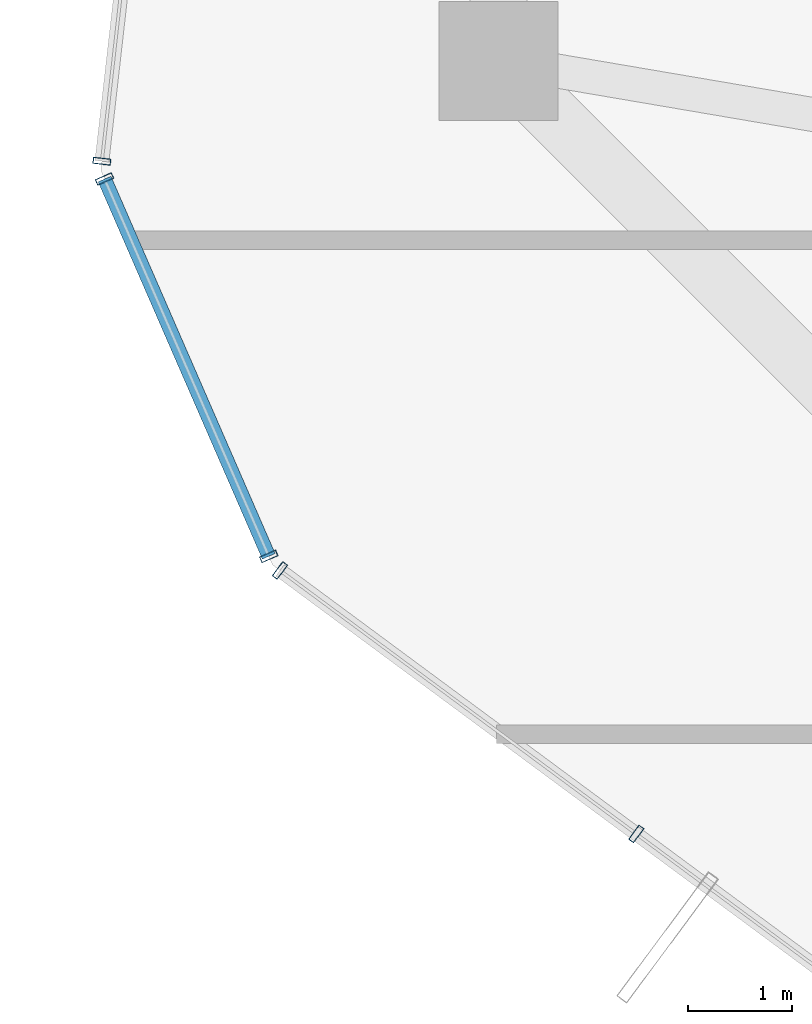
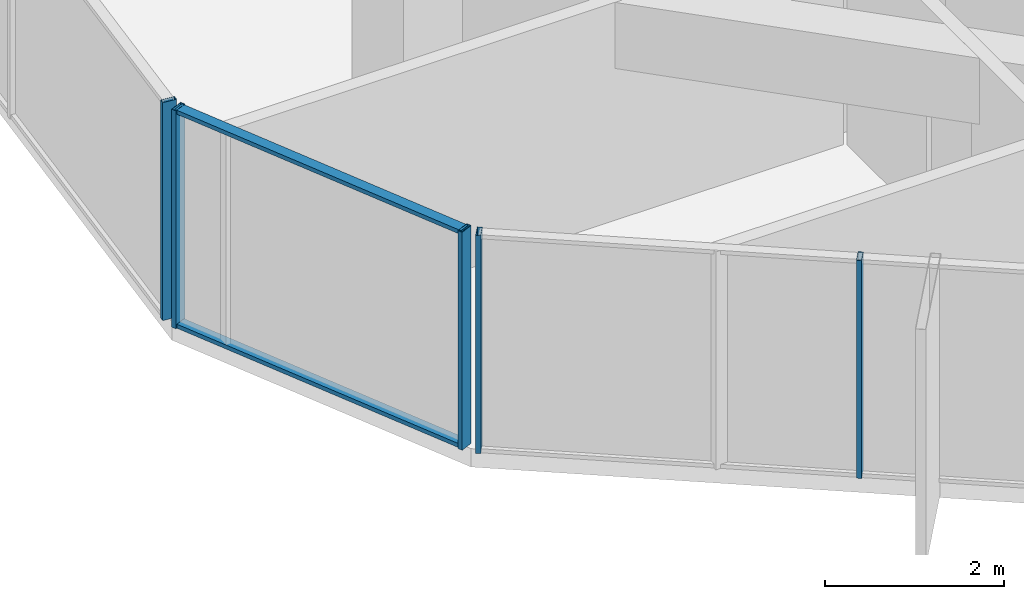
# One storey, part 4 of 29: 7 members, 3 elements without a shape of their own.
"""IFC4 building model written with IfcOpenShell, lengths in metres."""

import ifcopenshell
import ifcopenshell.guid

model = None  # the IFC model being written
_history = None  # IfcOwnerHistory: only IFC2X3 demands one
_inside = {}  # id of a spatial element -> (the spatial element, [elements in it])
_under = {}  # id of a project, library or spatial element -> (it, [spatial elements below it])
_declared = {}  # id of a project -> (the project, [libraries it declares])
_typed = {}  # id of a type object -> (the type object, [elements of that type])
_made_of = {}  # id of a material, layer set ... -> (it, [elements and type objects made of it])


def new_model(schema):
    """Start an empty IFC model of exactly this schema.

    Asked for "IFC4X3", IfcOpenShell would pick the latest addendum, in which some entities
    have other attributes; the version numbers below select the first issue.
    IFC2X3 requires an IfcOwnerHistory on every rooted entity: one is made here for all.
    """
    global model, _history
    if schema == "IFC4X3":
        model = ifcopenshell.file(schema_version=(4, 3, 0, 0))
    else:
        model = ifcopenshell.file(schema=schema)
    _inside.clear()
    _under.clear()
    _declared.clear()
    _typed.clear()
    _made_of.clear()
    _history = None
    if model.schema == "IFC2X3":
        org = make("IfcOrganization", Name="unknown")
        user = make(
            "IfcPersonAndOrganization",
            ThePerson=make("IfcPerson", FamilyName="unknown"),
            TheOrganization=org,
        )
        app = make(
            "IfcApplication",
            ApplicationDeveloper=org,
            Version="unknown",
            ApplicationFullName="unknown",
            ApplicationIdentifier="unknown",
        )
        _history = make(
            "IfcOwnerHistory",
            OwningUser=user,
            OwningApplication=app,
            ChangeAction="ADDED",
            CreationDate=0,
        )
    return model


def make(cls, **values):
    """One entity of the class cls with the attributes given. An attribute that is None is left unset."""
    return model.create_entity(
        cls, **{name: value for name, value in values.items() if value is not None}
    )


def rooted(cls, **values):
    """An entity with a GlobalId (a new one), such as an element, a storey or a relation."""
    return make(cls, GlobalId=ifcopenshell.guid.new(), OwnerHistory=_history, **values)


def si_unit(unit_type, name, prefix=None):
    """IfcSIUnit, for example si_unit("LENGTHUNIT", "METRE", prefix="MILLI")."""
    return make("IfcSIUnit", UnitType=unit_type, Prefix=prefix, Name=name)


def assignment(units):
    """IfcUnitAssignment: the units of a project."""
    return None if units is None else make("IfcUnitAssignment", Units=units)


def point(xyz):
    """IfcCartesianPoint."""
    return None if xyz is None else make("IfcCartesianPoint", Coordinates=xyz)


def direction(xyz):
    """IfcDirection."""
    return None if xyz is None else make("IfcDirection", DirectionRatios=xyz)


def frame(location, z_axis=None, x_axis=None):
    """IfcAxis2Placement3D, a coordinate frame: its origin and axes. An axis left out is left unset."""
    return make(
        "IfcAxis2Placement3D",
        Location=point(location),
        Axis=direction(z_axis),
        RefDirection=direction(x_axis),
    )


def frame_2d(location, x_axis=None):
    """IfcAxis2Placement2D, a coordinate frame in the plane: its origin and x axis."""
    return make(
        "IfcAxis2Placement2D", Location=point(location), RefDirection=direction(x_axis)
    )


def origin():
    """The frame at (0, 0, 0) with its axes left unset."""
    return frame((0.0, 0.0, 0.0))


def origin_2d():
    """The frame at (0, 0) in the plane with its x axis left unset."""
    return frame_2d((0.0, 0.0))


def place(relative_to, where):
    """IfcLocalPlacement: puts the frame where relative to a parent placement (None: the world)."""
    return make(
        "IfcLocalPlacement", PlacementRelTo=relative_to, RelativePlacement=where
    )


def context(
    kind, dimensions, precision=None, world=None, true_north=None, identifier=None
):
    """IfcGeometricRepresentationContext, for example the 3D "Model" context."""
    return make(
        "IfcGeometricRepresentationContext",
        ContextIdentifier=identifier,
        ContextType=kind,
        CoordinateSpaceDimension=dimensions,
        Precision=precision,
        WorldCoordinateSystem=world,
        TrueNorth=true_north,
    )


def subcontext(parent, identifier, kind, view, scale=None):
    """IfcGeometricRepresentationSubContext, for example "Body" below "Model"."""
    return make(
        "IfcGeometricRepresentationSubContext",
        ContextIdentifier=identifier,
        ContextType=kind,
        ParentContext=parent,
        TargetScale=scale,
        TargetView=view,
    )


def project(units=None, contexts=None):
    """IfcProject with its units and contexts."""
    return rooted(
        "IfcProject",
        Name="project",
        RepresentationContexts=contexts,
        UnitsInContext=assignment(units),
    )


def spatial(cls, under=None, at=None, **own):
    """A site, building, storey or space (cls), placed at a placement, below another one or the project."""
    s = rooted(cls, ObjectPlacement=at, **own)
    if under is not None:
        _under.setdefault(under.id(), (under, []))[1].append(s)
    return s


def profile(cls, at=None, kind="AREA", **sizes):
    """A parametric profile (cls). Its sizes go by their IFC names, for example OverallWidth=200.0."""
    return make(cls, ProfileType=kind, Position=at, **sizes)


def hollow_rectangle(**sizes):
    """IfcRectangleHollowProfileDef."""
    return profile("IfcRectangleHollowProfileDef", **sizes)


def extrude(swept, where, along, depth):
    """IfcExtrudedAreaSolid: the profile swept, set in the frame where, extruded along a direction by depth."""
    return make(
        "IfcExtrudedAreaSolid",
        SweptArea=swept,
        Position=where,
        ExtrudedDirection=direction(along),
        Depth=depth,
    )


def shape(context_of_items, identifier, shape_type, items):
    """IfcShapeRepresentation: the items that make up one representation, for example the "Body"."""
    return make(
        "IfcShapeRepresentation",
        ContextOfItems=context_of_items,
        RepresentationIdentifier=identifier,
        RepresentationType=shape_type,
        Items=items,
    )


def source(mapping_origin, context_of_items, identifier, shape_type, items):
    """IfcRepresentationMap: a shape defined once, which mapped items show again and again."""
    return make(
        "IfcRepresentationMap",
        MappingOrigin=mapping_origin,
        MappedRepresentation=shape(context_of_items, identifier, shape_type, items),
    )


def transform(
    local_origin,
    x_axis=None,
    y_axis=None,
    z_axis=None,
    scale=None,
    scale2=None,
    scale3=None,
    uniform=True,
):
    """IfcCartesianTransformationOperator3D, or its non-uniform kind. x_axis, y_axis, z_axis: its Axis1, 2, 3."""
    if uniform:
        return make(
            "IfcCartesianTransformationOperator3D",
            Axis1=direction(x_axis),
            Axis2=direction(y_axis),
            LocalOrigin=point(local_origin),
            Scale=scale,
            Axis3=direction(z_axis),
        )
    return make(
        "IfcCartesianTransformationOperator3DnonUniform",
        Axis1=direction(x_axis),
        Axis2=direction(y_axis),
        LocalOrigin=point(local_origin),
        Scale=scale,
        Axis3=direction(z_axis),
        Scale2=scale2,
        Scale3=scale3,
    )


def mapped(mapping_source, mapping_target):
    """IfcMappedItem: shows the shape of a source again, moved by a transform."""
    return make(
        "IfcMappedItem", MappingSource=mapping_source, MappingTarget=mapping_target
    )


def material(Name=None, Category=None):
    """IfcMaterial."""
    return make("IfcMaterial", Name=Name, Category=Category)


def layer(
    of_material, thickness, ventilated=None, Name=None, Category=None, Priority=None
):
    """IfcMaterialLayer: one layer of a wall or slab, of a material (None: an air gap)."""
    return make(
        "IfcMaterialLayer",
        Material=of_material,
        LayerThickness=thickness,
        IsVentilated=ventilated,
        Name=Name,
        Category=Category,
        Priority=Priority,
    )


def layer_set(layers, Name=None):
    """IfcMaterialLayerSet."""
    return make("IfcMaterialLayerSet", MaterialLayers=layers, LayerSetName=Name)


def material_profile(
    of_material, cross_section, Name=None, Category=None, Priority=None
):
    """IfcMaterialProfile: a cross section and its material."""
    return make(
        "IfcMaterialProfile",
        Name=Name,
        Material=of_material,
        Profile=cross_section,
        Priority=Priority,
        Category=Category,
    )


def profile_set(profiles, Name=None, composite=None):
    """IfcMaterialProfileSet."""
    return make(
        "IfcMaterialProfileSet",
        Name=Name,
        MaterialProfiles=profiles,
        CompositeProfile=composite,
    )


def made_of(thing, what):
    """Note that an element or type object is made of a material, layer set ...; save() writes the relation."""
    if what is not None:
        _made_of.setdefault(what.id(), (what, []))[1].append(thing)
    return thing


def type_object(cls, material=None, **own):
    """A type object (cls), such as IfcWallType, which elements share."""
    return made_of(rooted(cls, **own), material)


def element(
    cls,
    number,
    at=None,
    inside=None,
    cuts=None,
    type_object=None,
    material=None,
    context=None,
    identifier="Body",
    shape_type=None,
    held_by="IfcProductDefinitionShape",
    body=None,
    shapes=None,
    **own,
):
    """One element of the class cls, such as IfcWall. Its Tag is "e" and its number.

    at: its placement. inside: the storey or other place that contains it. cuts: it is an
    opening in that element (IfcRelVoidsElement). A single representation is given by context,
    identifier, shape_type and body (its items); several are given by shapes. held_by: the class
    of the entity that holds the representations. save() writes the other relations.
    """
    e = rooted(cls, Tag="e%d" % number, ObjectPlacement=at, **own)
    if body is not None:
        shapes = [shape(context, identifier, shape_type, body)]
    if shapes is not None:
        e.Representation = make(held_by, Representations=shapes)
    if inside is not None:
        _inside.setdefault(inside.id(), (inside, []))[1].append(e)
    if cuts is not None:
        rooted(
            "IfcRelVoidsElement", RelatingBuildingElement=cuts, RelatedOpeningElement=e
        )
    if type_object is not None:
        _typed.setdefault(type_object.id(), (type_object, []))[1].append(e)
    return made_of(e, material)


def aggregate(whole, parts):
    """IfcRelAggregates: a whole, such as a stair, and the parts it consists of."""
    return rooted("IfcRelAggregates", RelatingObject=whole, RelatedObjects=parts)


def save(model, path):
    """Write the relations noted so far, then the file.

    IfcRelAggregates (storeys below a building ...), IfcRelContainedInSpatialStructure (elements
    in a storey), IfcRelDefinesByType, IfcRelAssociatesMaterial and IfcRelDeclares: one each for
    every whole, place, type object, material and project.
    """
    for whole, parts in _under.values():
        aggregate(whole, parts)
    for where, things in _inside.values():
        rooted(
            "IfcRelContainedInSpatialStructure",
            RelatedElements=things,
            RelatingStructure=where,
        )
    for kind, things in _typed.values():
        rooted("IfcRelDefinesByType", RelatedObjects=things, RelatingType=kind)
    for what, things in _made_of.values():
        rooted("IfcRelAssociatesMaterial", RelatedObjects=things, RelatingMaterial=what)
    for by, libraries in _declared.values():
        rooted("IfcRelDeclares", RelatingContext=by, RelatedDefinitions=libraries)
    model.write(path)


model = new_model("IFC4")

# Units and contexts
model_context = context("Model", 3, precision=1e-05, world=origin(), true_north=direction((0.0, 1.0)))
body_context = subcontext(model_context, "Body", "Model", "MODEL_VIEW")
ifc_project = project(units=[si_unit("LENGTHUNIT", "METRE"), si_unit("AREAUNIT", "SQUARE_METRE"), si_unit("VOLUMEUNIT", "CUBIC_METRE"), si_unit("PLANEANGLEUNIT", "RADIAN"), si_unit("MASSUNIT", "GRAM", prefix="KILO")], contexts=[model_context])

# Site, building, storey
site_placement = place(None, origin())
site = spatial("IfcSite", under=ifc_project, at=site_placement, CompositionType="ELEMENT")
building_placement = place(site_placement, origin())
building = spatial("IfcBuilding", under=site, at=building_placement, Name="Veraguas Prism Commons", CompositionType="ELEMENT")
storey_placement = place(building_placement, frame((0.0, 0.0, 105.699951171875)))
storey = spatial("IfcBuildingStorey", under=building, at=storey_placement, Name="L29", CompositionType="ELEMENT", Elevation=105.699951171875)

# Curtain wall, member
ifc_material = material(Name="Anodised aluminium EN AW-6063 T6", Category="aluminium")
ifc_layer = layer(ifc_material, 0.169921875, Name="Unitised Flush Curtain Wall Zone 2", Category="aluminium")
ifc_layer_set = layer_set([ifc_layer], Name="Anodised aluminium EN AW-6063 T6")
curtain_wall_type = type_object("IfcCurtainWallType", Name="Unitised Flush Curtain Wall Zone 2", PredefinedType="NOTDEFINED", material=ifc_layer_set)
curtain_wall_1_placement = place(storey_placement, origin())
curtain_wall_1 = element("IfcCurtainWall", 1, at=curtain_wall_1_placement, inside=storey, type_object=curtain_wall_type, Name="Tower Facade Curtain Wall L29-F3", PredefinedType="NOTDEFINED")
ifc_material_profile_1 = material_profile(ifc_material, hollow_rectangle(XDim=0.06005859375, YDim=0.169921875, WallThickness=0.00390625, at=origin_2d()), Name="AL60X170X4")
ifc_profile_set_1 = profile_set([ifc_material_profile_1], Name="Anodised aluminium EN AW-6063 T6")
member_type_1 = type_object("IfcMemberType", Name="Curtain Wall Mullion Lower AL 60x170x4", PredefinedType="MULLION", material=ifc_profile_set_1)
shared_shape_1 = source(origin(), body_context, "Body", "SweptSolid", [
    extrude(hollow_rectangle(XDim=0.06005859375, YDim=0.169921875, WallThickness=0.00390625, at=origin_2d()), origin(), (0.0, 0.0, 1.0), 2.969970703125),
])
member_1_placement = place(storey_placement, frame((3.970947265625, 17.632568359375, 0.0), z_axis=(0.0, 0.0, 1.0), x_axis=(-0.112856384873, -0.99361131052, 0.0)))
member_1 = element("IfcMember", 2, at=member_1_placement, type_object=member_type_1, Name="CW-Z2 Mullion 5", PredefinedType="MULLION", context=body_context, shape_type="MappedRepresentation", body=[
    mapped(shared_shape_1, transform((0.0, 0.0, 0.0), scale=1.0)),
])
aggregate(curtain_wall_1, [member_1])

# Curtain wall, members
curtain_wall_2_placement = place(storey_placement, origin())
curtain_wall_2 = element("IfcCurtainWall", 3, at=curtain_wall_2_placement, inside=storey, type_object=curtain_wall_type, Name="Tower Facade Curtain Wall L29-F4", PredefinedType="NOTDEFINED")
member_2_placement = place(storey_placement, frame((5.6904296875, 13.681396484375, 0.0), z_axis=(0.0, 0.0, 1.0), x_axis=(0.804067556966, -0.59453794146, 0.0)))
member_2 = element("IfcMember", 4, at=member_2_placement, type_object=member_type_1, Name="CW-Z2 Mullion 1", PredefinedType="MULLION", context=body_context, shape_type="MappedRepresentation", body=[
    mapped(shared_shape_1, transform((0.0, 0.0, 0.0), scale=1.0)),
])
member_3_placement = place(storey_placement, frame((9.130859375, 11.1376953125, 0.0), z_axis=(0.0, 0.0, 1.0), x_axis=(0.804067556966, -0.59453794146, 0.0)))
member_3 = element("IfcMember", 5, at=member_3_placement, type_object=member_type_1, Name="CW-Z2 Mullion 2", PredefinedType="MULLION", context=body_context, shape_type="MappedRepresentation", body=[
    mapped(shared_shape_1, transform((0.0, 0.0, 0.0), scale=1.0)),
])
aggregate(curtain_wall_2, [member_2, member_3])

curtain_wall_3_placement = place(storey_placement, origin())
curtain_wall_3 = element("IfcCurtainWall", 6, at=curtain_wall_3_placement, inside=storey, type_object=curtain_wall_type, Name="Chamfer Curtain Wall L29-C4", PredefinedType="NOTDEFINED")
member_4_placement = place(storey_placement, frame((3.99658203125, 17.460693359375, 0.0), z_axis=(0.0, 0.0, 1.0), x_axis=(0.399086762523, -0.916913167088, 0.0)))
member_4 = element("IfcMember", 7, at=member_4_placement, type_object=member_type_1, Name="CW-Z2 Mullion 1", PredefinedType="MULLION", context=body_context, shape_type="MappedRepresentation", body=[
    mapped(shared_shape_1, transform((0.0, 0.0, 0.0), scale=1.0)),
])
member_5_placement = place(storey_placement, frame((5.582275390625, 13.817626953125, 0.0), z_axis=(0.0, 0.0, 1.0), x_axis=(0.399086762523, -0.916913167088, 0.0)))
member_5 = element("IfcMember", 8, at=member_5_placement, type_object=member_type_1, Name="CW-Z2 Mullion 2", PredefinedType="MULLION", context=body_context, shape_type="MappedRepresentation", body=[
    mapped(shared_shape_1, transform((0.0, 0.0, 0.0), scale=1.0)),
])
ifc_material_profile_2 = material_profile(ifc_material, hollow_rectangle(XDim=0.054931640625, YDim=0.135009765625, WallThickness=0.0029296875, at=origin_2d()), Name="AL55X135X3")
ifc_profile_set_2 = profile_set([ifc_material_profile_2], Name="Anodised aluminium EN AW-6063 T6")
member_type_2 = type_object("IfcMemberType", Name="Curtain Wall Transom Standard AL 55x135x3", PredefinedType="USERDEFINED", material=ifc_profile_set_2)
shared_shape_2 = source(origin(), body_context, "Body", "SweptSolid", [
    extrude(hollow_rectangle(XDim=0.054931640625, YDim=0.135009765625, WallThickness=0.0029296875, at=origin_2d()), origin(), (0.0, 0.0, 1.0), 3.97314453125),
])
member_6_placement = place(storey_placement, frame((3.99658203125, 17.460693359375, 0.027587890625), z_axis=(0.399096810973, -0.916908793431, 0.0), x_axis=(0.0, 0.0, 1.0)))
member_6 = element("IfcMember", 9, at=member_6_placement, type_object=member_type_2, Name="CW-Z2 Transom 1", ObjectType="TRANSOM", PredefinedType="USERDEFINED", context=body_context, shape_type="MappedRepresentation", body=[
    mapped(shared_shape_2, transform((0.0, 0.0, 0.0), scale=1.0)),
])
member_7_placement = place(storey_placement, frame((3.99658203125, 17.460693359375, 2.942626953125), z_axis=(0.399096810973, -0.916908793431, 0.0), x_axis=(0.0, 0.0, 1.0)))
member_7 = element("IfcMember", 10, at=member_7_placement, type_object=member_type_2, Name="CW-Z2 Transom 2", ObjectType="TRANSOM", PredefinedType="USERDEFINED", context=body_context, shape_type="MappedRepresentation", body=[
    mapped(shared_shape_2, transform((0.0, 0.0, 0.0), scale=1.0)),
])
aggregate(curtain_wall_3, [member_4, member_5, member_6, member_7])

save(model, "model.ifc")
